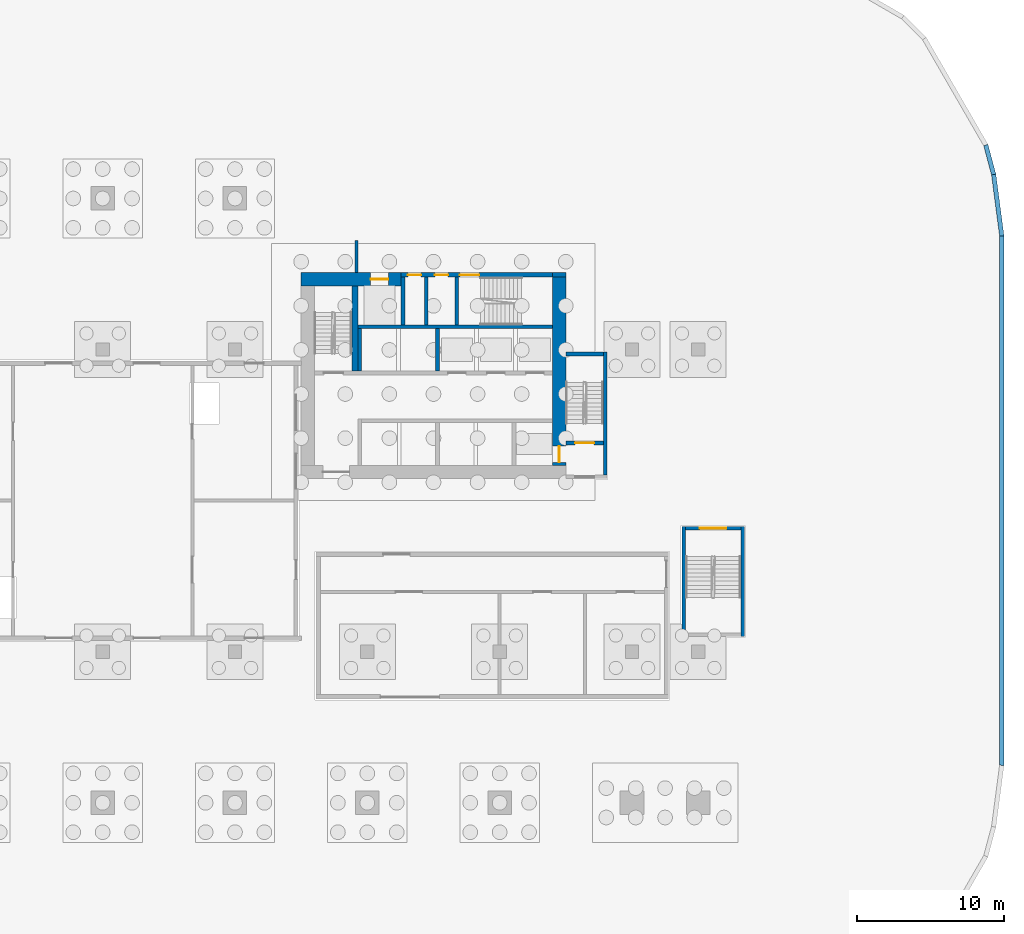
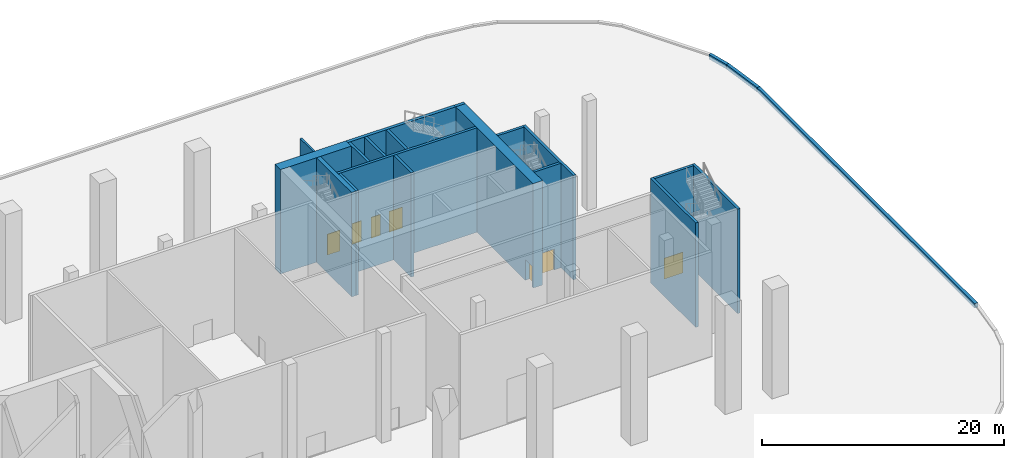
# One storey, part 8 of 26: 21 walls, 7 doors, 7 openings.
"""IFC4 building model written with IfcOpenShell, lengths in metres."""

from ifc_helpers import new_model, si_unit, direction, frame, frame_2d, origin, place, context, subcontext, project, spatial, polyline, rectangle, outline, extrude, material, layer, layer_set, type_object, element, fill, save


model = new_model("IFC4")

# Units and contexts
model_context = context("Model", 3, precision=1e-05, world=origin(), true_north=direction((0.0, 1.0)))
body_context = subcontext(model_context, "Body", "Model", "MODEL_VIEW")
ifc_project = project(units=[si_unit("LENGTHUNIT", "METRE"), si_unit("AREAUNIT", "SQUARE_METRE"), si_unit("VOLUMEUNIT", "CUBIC_METRE"), si_unit("PLANEANGLEUNIT", "RADIAN"), si_unit("MASSUNIT", "GRAM", prefix="KILO")], contexts=[model_context])

# Site, building, storey
site_placement = place(None, origin())
site = spatial("IfcSite", under=ifc_project, at=site_placement, CompositionType="ELEMENT")
building_placement = place(site_placement, origin())
building = spatial("IfcBuilding", under=site, at=building_placement, Name="Kajstack Hotel Tower", CompositionType="ELEMENT")
storey_placement = place(building_placement, origin())
storey = spatial("IfcBuildingStorey", under=building, at=storey_placement, Name="L00", CompositionType="ELEMENT", Elevation=0.0)

# Wall, opening, door
ifc_material_1 = material(Name="Concrete C60/75", Category="concrete")
ifc_layer_1 = layer(ifc_material_1, 0.89990234375)
ifc_layer_set_1 = layer_set([ifc_layer_1], Name="Core wall 900")
wall_type_1 = type_object("IfcWallType", Name="Core wall 900", PredefinedType="SHEAR", material=ifc_layer_set_1)
wall_1_placement = place(storey_placement, frame((13.5, 15.050048828125, 0.0), z_axis=(0.0, 0.0, 1.0), x_axis=(1.0, 0.0, 0.0)))
wall_1 = element("IfcWall", 1, at=wall_1_placement, inside=storey, type_object=wall_type_1, Name="Core wall E RS", PredefinedType="SHEAR", context=body_context, shape_type="SweptSolid", body=[
    extrude(rectangle(XDim=6.800048828125, YDim=0.89990234375, at=frame_2d((3.39990234375, 0.0))), origin(), (0.0, 0.0, 1.0), 10.550048828125),
])
opening_1_placement = place(wall_1_placement, frame((4.72509765625, 0.0, 0.0)))
opening_1 = element("IfcOpeningElement", 2, at=opening_1_placement, cuts=wall_1, Name="Opening LD-SV2", PredefinedType="OPENING", context=body_context, shape_type="SweptSolid", body=[
    extrude(rectangle(XDim=1.199951171875, YDim=2.10009765625, at=frame_2d((0.60009765625, 1.050048828125))), frame((0.0, 0.4599609375, 0.0), z_axis=(0.0, -1.0, 0.0), x_axis=(1.0, 0.0, 0.0)), (0.0, 0.0, 1.0), 0.919921875),
])
ifc_material_2 = material(Name="Stainless steel", Category="steel")
door_type_1 = type_object("IfcDoorType", Name="Lift landing door 1200", OperationType="SLIDING_TO_LEFT", PredefinedType="DOOR", material=ifc_material_2)
door_1_placement = place(opening_1_placement, origin())
door_1 = element("IfcDoor", 3, at=door_1_placement, inside=storey, type_object=door_type_1, Name="Landing door SV2", OperationType="SLIDING_TO_LEFT", OverallHeight=2.10009765625, OverallWidth=1.199951171875, PredefinedType="DOOR", context=body_context, shape_type="SweptSolid", body=[
    extrude(rectangle(XDim=1.199951171875, YDim=2.10009765625, at=frame_2d((0.60009765625, 1.050048828125))), frame((0.0, 0.02490234375, 0.0), z_axis=(0.0, -1.0, 0.0), x_axis=(1.0, 0.0, 0.0)), (0.0, 0.0, 1.0), 0.050048828125),
])
fill(opening_1, door_1)

# Wall
wall_2_placement = place(storey_placement, frame((30.60009765625, 15.35009765625, 0.0), z_axis=(0.0, 0.0, 1.0), x_axis=(1.0, 0.0, 0.0)))
element("IfcWall", 4, at=wall_2_placement, inside=storey, type_object=wall_type_1, Name="Core wall E RSW", PredefinedType="SHEAR", context=body_context, shape_type="SweptSolid", body=[
    extrude(rectangle(XDim=0.89990234375, YDim=0.300048828125, at=frame_2d((0.449951171875, 0.0))), origin(), (0.0, 0.0, 1.0), 10.550048828125),
])

# Wall, opening, door
wall_3_placement = place(storey_placement, frame((31.050048828125, 2.39990234375, 0.0), z_axis=(0.0, 0.0, 1.0), x_axis=(0.0, 1.0, 0.0)))
wall_3 = element("IfcWall", 5, at=wall_3_placement, inside=storey, type_object=wall_type_1, Name="Core wall E RW", PredefinedType="SHEAR", context=body_context, shape_type="SweptSolid", body=[
    extrude(rectangle(XDim=12.800048828125, YDim=0.89990234375, at=frame_2d((6.39990234375, 0.0))), origin(), (0.0, 0.0, 1.0), 10.550048828125),
])
opening_2_placement = place(wall_3_placement, frame((0.199951171875, 0.0, 0.0)))
opening_2 = element("IfcOpeningElement", 6, at=opening_2_placement, cuts=wall_3, Name="Opening LD-FF2", PredefinedType="OPENING", context=body_context, shape_type="SweptSolid", body=[
    extrude(rectangle(XDim=1.10009765625, YDim=2.10009765625, at=frame_2d((0.550048828125, 1.050048828125))), frame((0.0, 0.4599609375, 0.0), z_axis=(0.0, -1.0, 0.0), x_axis=(1.0, 0.0, 0.0)), (0.0, 0.0, 1.0), 0.919921875),
])
door_type_2 = type_object("IfcDoorType", Name="Fire-fighting lift landing door 1100", OperationType="SLIDING_TO_LEFT", PredefinedType="DOOR", material=ifc_material_2)
door_2_placement = place(opening_2_placement, origin())
door_2 = element("IfcDoor", 7, at=door_2_placement, inside=storey, type_object=door_type_2, Name="Landing door FF2", OperationType="SLIDING_TO_LEFT", OverallHeight=2.10009765625, OverallWidth=1.10009765625, PredefinedType="DOOR", context=body_context, shape_type="SweptSolid", body=[
    extrude(rectangle(XDim=1.10009765625, YDim=2.10009765625, at=frame_2d((0.550048828125, 1.050048828125))), frame((0.0, 0.02490234375, 0.0), z_axis=(0.0, -1.0, 0.0), x_axis=(1.0, 0.0, 0.0)), (0.0, 0.0, 1.0), 0.050048828125),
])
fill(opening_2, door_2)

# Walls
ifc_material_3 = material(Name="Concrete C50/60", Category="concrete")
ifc_layer_2 = layer(ifc_material_3, 0.300048828125)
ifc_layer_set_2 = layer_set([ifc_layer_2], Name="Hoistway divider wall 300")
wall_type_2 = type_object("IfcWallType", Name="Hoistway divider wall 300", PredefinedType="SHEAR", material=ifc_layer_set_2)
wall_4_placement = place(storey_placement, frame((22.77490234375, 8.800048828125, 0.0), z_axis=(0.0, 0.0, 1.0), x_axis=(0.0, 1.0, 0.0)))
element("IfcWall", 8, at=wall_4_placement, inside=storey, type_object=wall_type_2, Name="Core wall E BP2", PredefinedType="SHEAR", context=body_context, shape_type="SweptSolid", body=[
    extrude(rectangle(XDim=2.89990234375, YDim=0.25, at=frame_2d((1.449951171875, 0.0))), origin(), (0.0, 0.0, 1.0), 10.550048828125),
])
ifc_material_4 = material(Name="Concrete C30/37", Category="concrete")
ifc_layer_3 = layer(ifc_material_4, 0.300048828125)
ifc_layer_set_3 = layer_set([ifc_layer_3], Name="PLINTH-KERB")
wall_type_3 = type_object("IfcWallType", Name="PLINTH-KERB", PredefinedType="SOLIDWALL", material=ifc_layer_set_3)
wall_5_placement = place(storey_placement, frame((0.0, 0.0, -0.300048828125)))
element("IfcWall", 9, at=wall_5_placement, inside=storey, type_object=wall_type_3, Name="Plaza kerb 15", PredefinedType="SOLIDWALL", context=body_context, shape_type="SweptSolid", body=[
    extrude(outline(polyline([(61.0, -17.990234375), (61.0, 17.990234375), (61.300048828125, 18.009765625), (61.300048828125, -18.009765625), (61.0, -17.990234375)])), origin(), (0.0, 0.0, 1.0), 0.449951171875),
])
wall_6_placement = place(storey_placement, frame((0.0, 0.0, -0.300048828125)))
element("IfcWall", 10, at=wall_6_placement, inside=storey, type_object=wall_type_3, Name="Plaza kerb 16", PredefinedType="SOLIDWALL", context=body_context, shape_type="SweptSolid", body=[
    extrude(outline(polyline([(61.0, 17.990234375), (60.4521484375, 22.150634765625), (60.7470703125, 22.209228515625), (61.300048828125, 18.009765625), (61.0, 17.990234375)])), origin(), (0.0, 0.0, 1.0), 0.449951171875),
])
wall_7_placement = place(storey_placement, frame((0.0, 0.0, -0.300048828125)))
element("IfcWall", 11, at=wall_7_placement, inside=storey, type_object=wall_type_3, Name="Plaza kerb 17", PredefinedType="SOLIDWALL", context=body_context, shape_type="SweptSolid", body=[
    extrude(outline(polyline([(60.4521484375, 22.150634765625), (59.924072265625, 24.1220703125), (60.20361328125, 24.23779296875), (60.7470703125, 22.209228515625), (60.4521484375, 22.150634765625)])), origin(), (0.0, 0.0, 1.0), 0.449951171875),
])
ifc_material_5 = material(Name="Concrete block masonry", Category="masonry")
ifc_layer_4 = layer(ifc_material_5, 0.25)
ifc_layer_set_4 = layer_set([ifc_layer_4], Name="Riser partition 250")
wall_type_4 = type_object("IfcWallType", Name="Riser partition 250", PredefinedType="PARTITIONING", material=ifc_layer_set_4)
wall_8_placement = place(storey_placement, frame((22.0, 11.949951171875, 0.0), z_axis=(0.0, 0.0, 1.0), x_axis=(0.0, 1.0, 0.0)))
element("IfcWall", 12, at=wall_8_placement, inside=storey, type_object=wall_type_4, Name="Partition E SZ0", PredefinedType="PARTITIONING", context=body_context, shape_type="SweptSolid", body=[
    extrude(rectangle(XDim=3.25, YDim=0.25, at=frame_2d((1.625, 0.0))), origin(), (0.0, 0.0, 1.0), 10.550048828125),
])
ifc_material_6 = material(Name="Gypsum board on steel studs, mineral wool", Category="steel")
ifc_layer_5 = layer(ifc_material_6, 0.199951171875)
ifc_layer_set_5 = layer_set([ifc_layer_5], Name="Service partition 200")
wall_type_5 = type_object("IfcWallType", Name="Service partition 200", PredefinedType="PARTITIONING", material=ifc_layer_set_5)
wall_9_placement = place(storey_placement, frame((17.25, 15.5, 0.0), z_axis=(0.0, 0.0, 1.0), x_axis=(0.0, 1.0, 0.0)))
element("IfcWall", 13, at=wall_9_placement, inside=storey, type_object=wall_type_5, Name="Partition E SCE", PredefinedType="PARTITIONING", context=body_context, shape_type="SweptSolid", body=[
    extrude(rectangle(XDim=2.199951171875, YDim=0.199951171875, at=frame_2d((1.10009765625, 0.0))), origin(), (0.0, 0.0, 1.0), 10.550048828125),
])

# Wall, openings, doors
ifc_layer_6 = layer(ifc_material_3, 0.25)
ifc_layer_set_6 = layer_set([ifc_layer_6], Name="Shaft wall 250")
wall_type_6 = type_object("IfcWallType", Name="Shaft wall 250", PredefinedType="SHEAR", material=ifc_layer_set_6)
wall_10_placement = place(storey_placement, frame((20.300048828125, 15.35009765625, 0.0), z_axis=(0.0, 0.0, 1.0), x_axis=(1.0, 0.0, 0.0)))
wall_10 = element("IfcWall", 14, at=wall_10_placement, inside=storey, type_object=wall_type_6, Name="Core wall E RSS", PredefinedType="SHEAR", context=body_context, shape_type="SweptSolid", body=[
    extrude(rectangle(XDim=10.300048828125, YDim=0.300048828125, at=frame_2d((5.14990234375, 0.0))), origin(), (0.0, 0.0, 1.0), 10.550048828125),
])
opening_3_placement = place(wall_10_placement, frame((4.0, 0.0, 0.0)))
opening_3 = element("IfcOpeningElement", 15, at=opening_3_placement, cuts=wall_10, Name="Opening 00E10", PredefinedType="OPENING", context=body_context, shape_type="SweptSolid", body=[
    extrude(rectangle(XDim=1.300048828125, YDim=2.10009765625, at=frame_2d((0.64990234375, 1.050048828125))), frame((0.0, 0.159912109375, 0.0), z_axis=(0.0, -1.0, 0.0), x_axis=(1.0, 0.0, 0.0)), (0.0, 0.0, 1.0), 0.320068359375),
])
opening_4_placement = place(wall_10_placement, frame((2.28759765625, 0.0, 0.0)))
opening_4 = element("IfcOpeningElement", 16, at=opening_4_placement, cuts=wall_10, Name="Opening 00E11", PredefinedType="OPENING", context=body_context, shape_type="SweptSolid", body=[
    extrude(rectangle(XDim=0.89990234375, YDim=2.10009765625, at=frame_2d((0.449951171875, 1.050048828125))), frame((0.0, 0.159912109375, 0.0), z_axis=(0.0, -1.0, 0.0), x_axis=(1.0, 0.0, 0.0)), (0.0, 0.0, 1.0), 0.320068359375),
])
opening_5_placement = place(wall_10_placement, frame((0.46240234375, 0.0, 0.0)))
opening_5 = element("IfcOpeningElement", 17, at=opening_5_placement, cuts=wall_10, Name="Opening 00E12", PredefinedType="OPENING", context=body_context, shape_type="SweptSolid", body=[
    extrude(rectangle(XDim=0.89990234375, YDim=2.10009765625, at=frame_2d((0.449951171875, 1.050048828125))), frame((0.0, 0.159912109375, 0.0), z_axis=(0.0, -1.0, 0.0), x_axis=(1.0, 0.0, 0.0)), (0.0, 0.0, 1.0), 0.320068359375),
])
ifc_material_7 = material(Name="Timber leaf, fire-rated", Category="wood")
door_type_3 = type_object("IfcDoorType", Name="Service door 900", OperationType="SINGLE_SWING_LEFT", PredefinedType="DOOR", material=ifc_material_7)
door_3_placement = place(opening_4_placement, origin())
door_3 = element("IfcDoor", 18, at=door_3_placement, inside=storey, type_object=door_type_3, Name="Door 00E11", OperationType="SINGLE_SWING_RIGHT", OverallHeight=2.10009765625, OverallWidth=0.89990234375, PredefinedType="DOOR", context=body_context, shape_type="SweptSolid", body=[
    extrude(rectangle(XDim=0.89990234375, YDim=2.10009765625, at=frame_2d((0.449951171875, 1.050048828125))), frame((0.0, 0.02490234375, 0.0), z_axis=(0.0, -1.0, 0.0), x_axis=(1.0, 0.0, 0.0)), (0.0, 0.0, 1.0), 0.050048828125),
])
fill(opening_4, door_3)
door_4_placement = place(opening_5_placement, origin())
door_4 = element("IfcDoor", 19, at=door_4_placement, inside=storey, type_object=door_type_3, Name="Door 00E12", OperationType="SINGLE_SWING_RIGHT", OverallHeight=2.10009765625, OverallWidth=0.89990234375, PredefinedType="DOOR", context=body_context, shape_type="SweptSolid", body=[
    extrude(rectangle(XDim=0.89990234375, YDim=2.10009765625, at=frame_2d((0.449951171875, 1.050048828125))), frame((0.0, 0.02490234375, 0.0), z_axis=(0.0, -1.0, 0.0), x_axis=(1.0, 0.0, 0.0)), (0.0, 0.0, 1.0), 0.050048828125),
])
fill(opening_5, door_4)
ifc_material_8 = material(Name="Steel leaf, fire-rated", Category="steel")
door_type_4 = type_object("IfcDoorType", Name="Stair door 1300", OperationType="SINGLE_SWING_LEFT", PredefinedType="DOOR", material=ifc_material_8)
door_5_placement = place(opening_3_placement, origin())
door_5 = element("IfcDoor", 20, at=door_5_placement, inside=storey, type_object=door_type_4, Name="Door 00E10", OperationType="SINGLE_SWING_LEFT", OverallHeight=2.10009765625, OverallWidth=1.300048828125, PredefinedType="DOOR", context=body_context, shape_type="SweptSolid", body=[
    extrude(rectangle(XDim=1.300048828125, YDim=2.10009765625, at=frame_2d((0.64990234375, 1.050048828125))), frame((0.0, 0.02490234375, 0.0), z_axis=(0.0, -1.0, 0.0), x_axis=(1.0, 0.0, 0.0)), (0.0, 0.0, 1.0), 0.050048828125),
])
fill(opening_3, door_5)

# Walls
wall_11_placement = place(storey_placement, frame((17.35009765625, 11.824951171875, 0.0), z_axis=(0.0, 0.0, 1.0), x_axis=(1.0, 0.0, 0.0)))
element("IfcWall", 21, at=wall_11_placement, inside=storey, type_object=wall_type_6, Name="Core wall E RB", PredefinedType="SHEAR", context=body_context, shape_type="SweptSolid", body=[
    extrude(rectangle(XDim=13.25, YDim=0.25, at=frame_2d((6.625, 0.0))), origin(), (0.0, 0.0, 1.0), 10.550048828125),
])
wall_12_placement = place(storey_placement, frame((17.47509765625, 8.800048828125, 0.0), z_axis=(0.0, 0.0, 1.0), x_axis=(0.0, 1.0, 0.0)))
element("IfcWall", 22, at=wall_12_placement, inside=storey, type_object=wall_type_6, Name="Core wall E BE", PredefinedType="SHEAR", context=body_context, shape_type="SweptSolid", body=[
    extrude(rectangle(XDim=2.89990234375, YDim=0.25, at=frame_2d((1.449951171875, 0.0))), origin(), (0.0, 0.0, 1.0), 10.550048828125),
])
wall_13_placement = place(storey_placement, frame((20.425048828125, 11.949951171875, 0.0), z_axis=(0.0, 0.0, 1.0), x_axis=(0.0, 1.0, 0.0)))
element("IfcWall", 23, at=wall_13_placement, inside=storey, type_object=wall_type_6, Name="Core wall E SVW", PredefinedType="SHEAR", context=body_context, shape_type="SweptSolid", body=[
    extrude(rectangle(XDim=3.25, YDim=0.25, at=frame_2d((1.625, 0.0))), origin(), (0.0, 0.0, 1.0), 10.550048828125),
])

# Wall, opening, door
ifc_material_9 = material(Name="Concrete C40/50", Category="concrete")
ifc_layer_7 = layer(ifc_material_9, 0.25)
ifc_layer_set_7 = layer_set([ifc_layer_7], Name="Stair enclosure wall 250")
wall_type_7 = type_object("IfcWallType", Name="Stair enclosure wall 250", PredefinedType="SHEAR", material=ifc_layer_set_7)
wall_14_placement = place(storey_placement, frame((31.5, 3.925048828125, 0.0), z_axis=(0.0, 0.0, 1.0), x_axis=(1.0, 0.0, 0.0)))
wall_14 = element("IfcWall", 24, at=wall_14_placement, inside=storey, type_object=wall_type_7, Name="Core wall E W1N", PredefinedType="SHEAR", context=body_context, shape_type="SweptSolid", body=[
    extrude(rectangle(XDim=2.550048828125, YDim=0.25, at=frame_2d((1.27490234375, 0.0))), origin(), (0.0, 0.0, 1.0), 10.550048828125),
])
opening_6_placement = place(wall_14_placement, frame((0.625, 0.0, 0.0)))
opening_6 = element("IfcOpeningElement", 25, at=opening_6_placement, cuts=wall_14, Name="Opening 00E08", PredefinedType="OPENING", context=body_context, shape_type="SweptSolid", body=[
    extrude(rectangle(XDim=1.300048828125, YDim=2.10009765625, at=frame_2d((0.64990234375, 1.050048828125))), frame((0.0, 0.135009765625, 0.0), z_axis=(0.0, -1.0, 0.0), x_axis=(1.0, 0.0, 0.0)), (0.0, 0.0, 1.0), 0.27001953125),
])
door_6_placement = place(opening_6_placement, origin())
door_6 = element("IfcDoor", 26, at=door_6_placement, inside=storey, type_object=door_type_4, Name="Door 00E08", OperationType="SINGLE_SWING_LEFT", OverallHeight=2.10009765625, OverallWidth=1.300048828125, PredefinedType="DOOR", context=body_context, shape_type="SweptSolid", body=[
    extrude(rectangle(XDim=1.300048828125, YDim=2.10009765625, at=frame_2d((0.64990234375, 1.050048828125))), frame((0.0, 0.02490234375, 0.0), z_axis=(0.0, -1.0, 0.0), x_axis=(1.0, 0.0, 0.0)), (0.0, 0.0, 1.0), 0.050048828125),
])
fill(opening_6, door_6)

# Walls
wall_15_placement = place(storey_placement, frame((34.175048828125, 1.75, 0.0), z_axis=(0.0, 0.0, 1.0), x_axis=(0.0, 1.0, 0.0)))
element("IfcWall", 27, at=wall_15_placement, inside=storey, type_object=wall_type_7, Name="Core wall E W1W", PredefinedType="SHEAR", context=body_context, shape_type="SweptSolid", body=[
    extrude(rectangle(XDim=8.35009765625, YDim=0.25, at=frame_2d((4.175048828125, 0.0))), origin(), (0.0, 0.0, 1.0), 10.550048828125),
])
wall_16_placement = place(storey_placement, frame((31.5, 9.97509765625, 0.0), z_axis=(0.0, 0.0, 1.0), x_axis=(1.0, 0.0, 0.0)))
element("IfcWall", 28, at=wall_16_placement, inside=storey, type_object=wall_type_7, Name="Core wall E W1S", PredefinedType="SHEAR", context=body_context, shape_type="SweptSolid", body=[
    extrude(rectangle(XDim=2.550048828125, YDim=0.25, at=frame_2d((1.27490234375, 0.0))), origin(), (0.0, 0.0, 1.0), 10.550048828125),
])
for number, where, z_axis, x_axis, name in (
    (29, (39.52490234375, -9.25, 0.0), (0.0, 0.0, 1.0), (0.0, 1.0, 0.0), "Stair wall P2 W"),
    (30, (43.52490234375, -9.25, 0.0), (0.0, 0.0, 1.0), (0.0, 1.0, 0.0), "Stair wall P2 E"),
):
    element("IfcWall", number, at=place(storey_placement, frame(where, z_axis=z_axis, x_axis=x_axis)), inside=storey, type_object=wall_type_7, Name=name, PredefinedType="SHEAR", context=body_context, shape_type="SweptSolid", body=[
        extrude(rectangle(XDim=7.5, YDim=0.25, at=frame_2d((3.75, 0.0))), origin(), (0.0, 0.0, 1.0), 10.550048828125),
    ])

# Wall, opening, door
wall_17_placement = place(storey_placement, frame((39.64990234375, -1.875, 0.0), z_axis=(0.0, 0.0, 1.0), x_axis=(1.0, 0.0, 0.0)))
wall_17 = element("IfcWall", 31, at=wall_17_placement, inside=storey, type_object=wall_type_7, Name="Stair wall P2 N", PredefinedType="SHEAR", context=body_context, shape_type="SweptSolid", body=[
    extrude(rectangle(XDim=3.75, YDim=0.25, at=frame_2d((1.875, 0.0))), origin(), (0.0, 0.0, 1.0), 10.550048828125),
])
opening_7_placement = place(wall_17_placement, frame((0.97509765625, 0.0, 0.0)))
opening_7 = element("IfcOpeningElement", 32, at=opening_7_placement, cuts=wall_17, Name="Opening 00P2", PredefinedType="OPENING", context=body_context, shape_type="SweptSolid", body=[
    extrude(rectangle(XDim=1.800048828125, YDim=2.10009765625, at=frame_2d((0.89990234375, 1.050048828125))), frame((0.0, 0.135009765625, 0.0), z_axis=(0.0, -1.0, 0.0), x_axis=(1.0, 0.0, 0.0)), (0.0, 0.0, 1.0), 0.27001953125),
])
door_type_5 = type_object("IfcDoorType", Name="Stair door 1800", OperationType="DOUBLE_DOOR_DOUBLE_SWING", PredefinedType="DOOR", material=ifc_material_8)
door_7_placement = place(opening_7_placement, origin())
door_7 = element("IfcDoor", 33, at=door_7_placement, inside=storey, type_object=door_type_5, Name="Door 00P2", OperationType="DOUBLE_DOOR_DOUBLE_SWING", OverallHeight=2.10009765625, OverallWidth=1.800048828125, PredefinedType="DOOR", context=body_context, shape_type="SweptSolid", body=[
    extrude(rectangle(XDim=1.800048828125, YDim=2.10009765625, at=frame_2d((0.89990234375, 1.050048828125))), frame((0.0, 0.02490234375, 0.0), z_axis=(0.0, -1.0, 0.0), x_axis=(1.0, 0.0, 0.0)), (0.0, 0.0, 1.0), 0.050048828125),
])
fill(opening_7, door_7)

# Walls
ifc_layer_8 = layer(ifc_material_3, 0.35009765625)
ifc_layer_set_8 = layer_set([ifc_layer_8], Name="Stair enclosure wall 350")
wall_type_8 = type_object("IfcWallType", Name="Stair enclosure wall 350", PredefinedType="SHEAR", material=ifc_layer_set_8)
wall_18_placement = place(storey_placement, frame((24.074951171875, 11.949951171875, 0.0), z_axis=(0.0, 0.0, 1.0), x_axis=(0.0, 1.0, 0.0)))
element("IfcWall", 34, at=wall_18_placement, inside=storey, type_object=wall_type_8, Name="Core wall E W3E", PredefinedType="SHEAR", context=body_context, shape_type="SweptSolid", body=[
    extrude(rectangle(XDim=3.25, YDim=0.25, at=frame_2d((1.625, 0.0))), origin(), (0.0, 0.0, 1.0), 10.550048828125),
])
ifc_layer_9 = layer(ifc_material_3, 0.39990234375)
ifc_layer_set_9 = layer_set([ifc_layer_9], Name="Stair wall 400")
wall_type_9 = type_object("IfcWallType", Name="Stair wall 400", PredefinedType="SHEAR", material=ifc_layer_set_9)
wall_19_placement = place(storey_placement, frame((17.14990234375, 8.800048828125, 0.0), z_axis=(0.0, 0.0, 1.0), x_axis=(0.0, 1.0, 0.0)))
element("IfcWall", 35, at=wall_19_placement, inside=storey, type_object=wall_type_9, Name="Core wall E WW2", PredefinedType="SHEAR", context=body_context, shape_type="SweptSolid", body=[
    extrude(rectangle(XDim=5.800048828125, YDim=0.39990234375, at=frame_2d((2.89990234375, 0.0))), origin(), (0.0, 0.0, 1.0), 10.550048828125),
])

save(model, "model.ifc")
